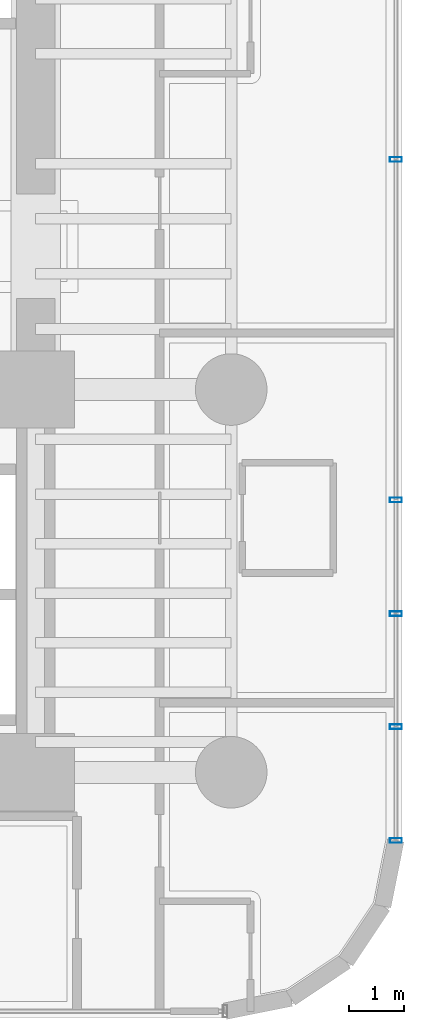
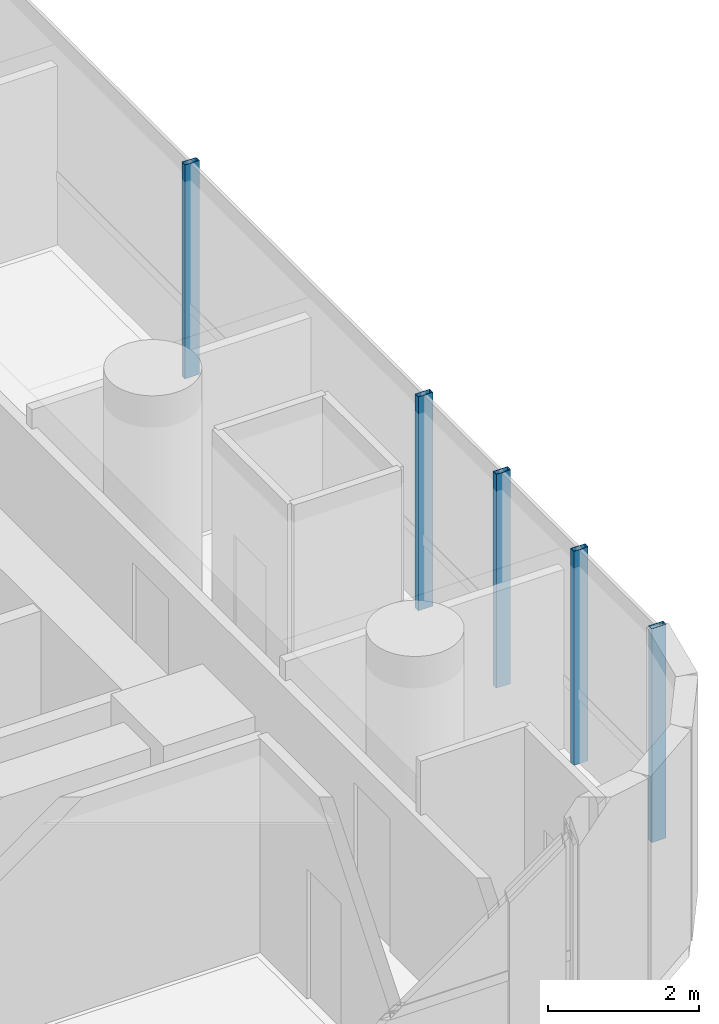
# One storey, part 24 of 39: 5 members, 1 element without a shape of its own.
"""IFC4 building model written with IfcOpenShell, lengths in metres."""

from ifc_helpers import new_model, si_unit, direction, frame, origin, origin_2d, place, context, subcontext, project, spatial, hollow_rectangle, extrude, source, transform, mapped, material, material_profile, profile_set, type_object, element, aggregate, save


model = new_model("IFC4")

# Units and contexts
model_context = context("Model", 3, precision=1e-05, world=origin(), true_north=direction((0.0, 1.0)))
body_context = subcontext(model_context, "Body", "Model", "MODEL_VIEW")
ifc_project = project(units=[si_unit("LENGTHUNIT", "METRE"), si_unit("AREAUNIT", "SQUARE_METRE"), si_unit("VOLUMEUNIT", "CUBIC_METRE"), si_unit("PLANEANGLEUNIT", "RADIAN"), si_unit("MASSUNIT", "GRAM", prefix="KILO")], contexts=[model_context])

# Site, building, storey
site_placement = place(None, origin())
site = spatial("IfcSite", under=ifc_project, at=site_placement, CompositionType="ELEMENT")
building_placement = place(site_placement, origin())
building = spatial("IfcBuilding", under=site, at=building_placement, Name="Valdorenza Pilgrim Sanctuary Tower", CompositionType="ELEMENT")
storey_placement = place(building_placement, frame((0.0, 0.0, 74.10009765625)))
storey = spatial("IfcBuildingStorey", under=building, at=storey_placement, Name="L18", CompositionType="ELEMENT", Elevation=74.10009765625)

# Curtain wall, members
ifc_material_1 = material(Name="Curtain-wall IGU glazing", Category="glass")
curtain_wall_type = type_object("IfcCurtainWallType", Name="CW-SYS-03", PredefinedType="NOTDEFINED", material=ifc_material_1)
curtain_wall_placement = place(storey_placement, origin())
curtain_wall = element("IfcCurtainWall", 1, at=curtain_wall_placement, inside=storey, type_object=curtain_wall_type, Name="L18 Curtain Wall CW-L18-1-21", PredefinedType="NOTDEFINED")
ifc_material_2 = material(Name="Anodised aluminium AW-6060", Category="aluminium")
ifc_material_profile = material_profile(ifc_material_2, hollow_rectangle(XDim=0.0849609375, YDim=0.219970703125, WallThickness=0.0048828125, at=origin_2d()), Name="ALU-M 220x85x5")
ifc_profile_set = profile_set([ifc_material_profile], Name="Anodised aluminium AW-6060")
member_type = type_object("IfcMemberType", Name="CW-MUL-03", PredefinedType="MULLION", material=ifc_profile_set)
shared_shape = source(origin(), body_context, "Body", "SweptSolid", [
    extrude(hollow_rectangle(XDim=0.0849609375, YDim=0.219970703125, WallThickness=0.0048828125, at=origin_2d()), origin(), (0.0, 0.0, 1.0), 3.4599609375),
])
member_1_placement = place(storey_placement, frame((31.389892578125, 1.577880859375, 0.0), z_axis=(0.0, 0.0, 1.0), x_axis=(0.0, -1.0, 0.0)))
member_1 = element("IfcMember", 2, at=member_1_placement, type_object=member_type, Name="CW-L18-1-21 Mullion 3", PredefinedType="MULLION", context=body_context, shape_type="MappedRepresentation", body=[
    mapped(shared_shape, transform((0.0, 0.0, 0.0), x_axis=(1.0, 0.0, 0.0), y_axis=(0.0, 1.0, 0.0), z_axis=(0.0, 0.0, 1.0), scale=1.0)),
])
member_2_placement = place(storey_placement, frame((31.389892578125, -4.605712890625, 0.0), z_axis=(0.0, 0.0, 1.0), x_axis=(0.0, -1.0, 0.0)))
member_2 = element("IfcMember", 3, at=member_2_placement, type_object=member_type, Name="CW-L18-1-21 Mullion 4", PredefinedType="MULLION", context=body_context, shape_type="MappedRepresentation", body=[
    mapped(shared_shape, transform((0.0, 0.0, 0.0), x_axis=(1.0, 0.0, 0.0), y_axis=(0.0, 1.0, 0.0), z_axis=(0.0, 0.0, 1.0), scale=1.0)),
])
member_3_placement = place(storey_placement, frame((31.389892578125, -10.789306640625, 0.0), z_axis=(0.0, 0.0, 1.0), x_axis=(0.0, -1.0, 0.0)))
member_3 = element("IfcMember", 4, at=member_3_placement, type_object=member_type, Name="CW-L18-1-21 Mullion 5", PredefinedType="MULLION", context=body_context, shape_type="MappedRepresentation", body=[
    mapped(shared_shape, transform((0.0, 0.0, 0.0), x_axis=(1.0, 0.0, 0.0), y_axis=(0.0, 1.0, 0.0), z_axis=(0.0, 0.0, 1.0), scale=1.0)),
])
member_4_placement = place(storey_placement, frame((31.389892578125, -6.670166015625, 0.0), z_axis=(0.0, 0.0, 1.0), x_axis=(0.0, -1.0, 0.0)))
member_4 = element("IfcMember", 5, at=member_4_placement, type_object=member_type, Name="CW-L18-1-21 Sub-Mullion 30-1", PredefinedType="MULLION", context=body_context, shape_type="MappedRepresentation", body=[
    mapped(shared_shape, transform((0.0, 0.0, 0.0), x_axis=(1.0, 0.0, 0.0), y_axis=(0.0, 1.0, 0.0), z_axis=(0.0, 0.0, 1.0), scale=1.0)),
])
member_5_placement = place(storey_placement, frame((31.389892578125, -8.724609375, 0.0), z_axis=(0.0, 0.0, 1.0), x_axis=(0.0, -1.0, 0.0)))
member_5 = element("IfcMember", 6, at=member_5_placement, type_object=member_type, Name="CW-L18-1-21 Sub-Mullion 30-2", PredefinedType="MULLION", context=body_context, shape_type="MappedRepresentation", body=[
    mapped(shared_shape, transform((0.0, 0.0, 0.0), x_axis=(1.0, 0.0, 0.0), y_axis=(0.0, 1.0, 0.0), z_axis=(0.0, 0.0, 1.0), scale=1.0)),
])
aggregate(curtain_wall, [member_1, member_2, member_3, member_4, member_5])

save(model, "model.ifc")
